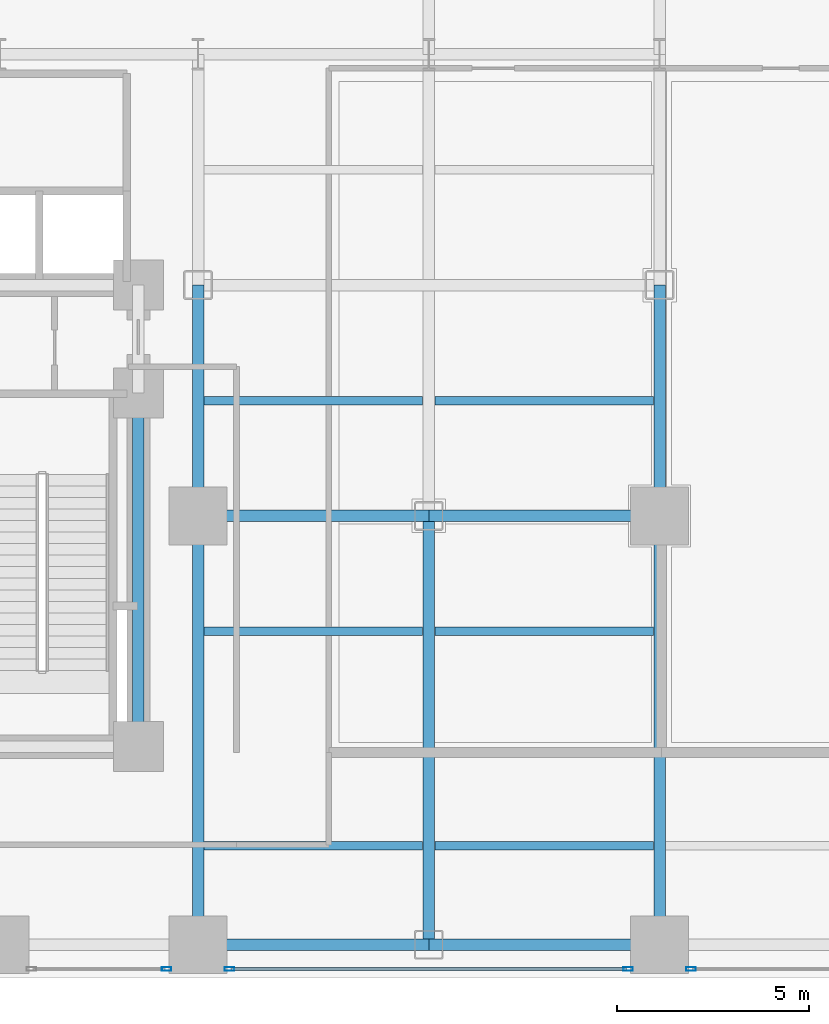
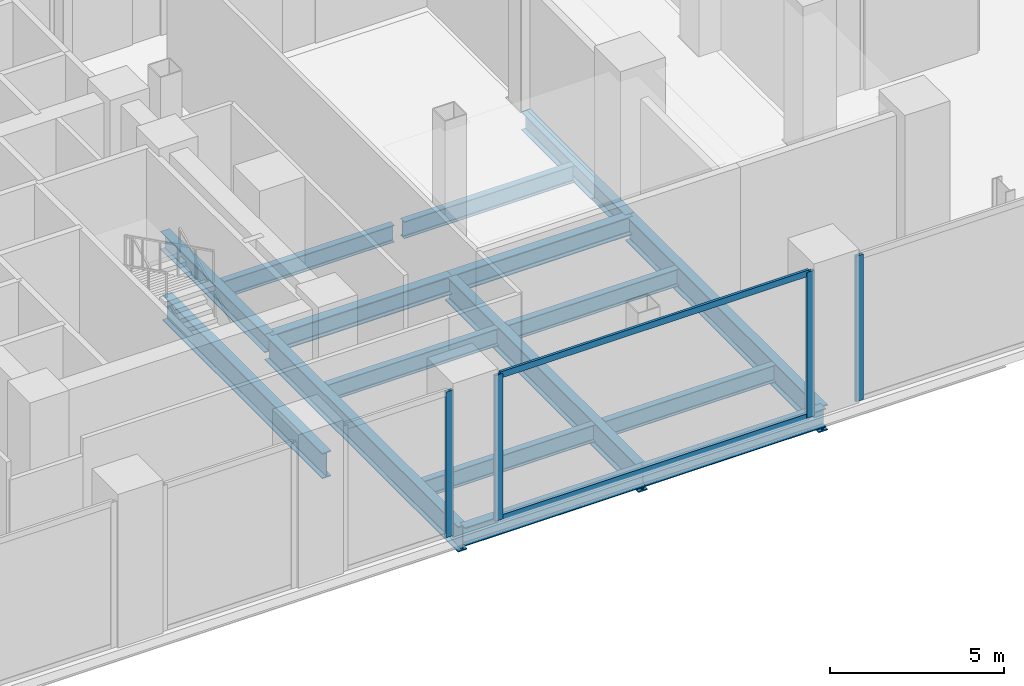
# One storey, part 9 of 27: 16 beams, 6 members, 3 elements without a shape of their own.
"""IFC4 building model written with IfcOpenShell, lengths in metres."""

from ifc_helpers import new_model, si_unit, direction, frame, origin, origin_2d, place, context, subcontext, project, spatial, hollow_rectangle, i_section, extrude, material, layer, layer_set, material_profile, profile_set, type_object, element, aggregate, save


model = new_model("IFC4")

# Units and contexts
model_context = context("Model", 3, precision=1e-05, world=origin(), true_north=direction((0.0, 1.0)))
body_context = subcontext(model_context, "Body", "Model", "MODEL_VIEW")
ifc_project = project(units=[si_unit("LENGTHUNIT", "METRE"), si_unit("AREAUNIT", "SQUARE_METRE"), si_unit("VOLUMEUNIT", "CUBIC_METRE"), si_unit("PLANEANGLEUNIT", "RADIAN"), si_unit("MASSUNIT", "GRAM", prefix="KILO"), si_unit("THERMODYNAMICTEMPERATUREUNIT", "KELVIN"), si_unit("POWERUNIT", "WATT")], contexts=[model_context])

# Site, building, storey
site_placement = place(None, origin())
site = spatial("IfcSite", under=ifc_project, at=site_placement, CompositionType="ELEMENT")
building_placement = place(site_placement, origin())
building = spatial("IfcBuilding", under=site, at=building_placement, Name="Svarakhadi Broadcast Tower", CompositionType="ELEMENT")
storey_placement = place(building_placement, frame((0.0, 0.0, 5.699951171875)))
storey = spatial("IfcBuildingStorey", under=building, at=storey_placement, Name="L01", CompositionType="ELEMENT", Elevation=5.699951171875)

# Beams
ifc_material_1 = material(Name="Steel S355J2 (IS 2062 E350C)", Category="steel")
ifc_material_profile_1 = material_profile(ifc_material_1, i_section(OverallWidth=0.219970703125, OverallDepth=0.60009765625, WebThickness=0.011962890625, FlangeThickness=0.01904296875, FilletRadius=0.02392578125, at=origin_2d()), Name="NPB 600x220x122")
ifc_profile_set_1 = profile_set([ifc_material_profile_1], Name="Steel S355J2 (IS 2062 E350C)")
beam_type_1 = type_object("IfcBeamType", Name="Beam_NPB600", PredefinedType="BEAM", material=ifc_profile_set_1)
for number, where, z_axis, x_axis, name in (
    (1, (35.31005859375, 3.425048828125, -0.599853515625), (1.0, 0.0, 0.0), (0.0, 1.0, 0.0), "L01 Secondary Composite Beam SB017"),
    (2, (35.31005859375, 9.0, -0.599853515625), (1.0, 0.0, 0.0), (0.0, 1.0, 0.0), "L01 Secondary Composite Beam SB018"),
    (3, (35.31005859375, 15.0, -0.599853515625), (1.0, 0.0, 0.0), (0.0, 1.0, 0.0), "L01 Secondary Composite Beam SB019"),
    (4, (41.31005859375, 3.425048828125, -0.599853515625), (1.0, 0.0, 0.0), (0.0, 1.0, 0.0), "L01 Secondary Composite Beam SB021"),
    (5, (41.31005859375, 9.0, -0.599853515625), (1.0, 0.0, 0.0), (0.0, 1.0, 0.0), "L01 Secondary Composite Beam SB022"),
    (6, (41.31005859375, 15.0, -0.599853515625), (1.0, 0.0, 0.0), (0.0, 1.0, 0.0), "L01 Secondary Composite Beam SB023"),
):
    element("IfcBeam", number, at=place(storey_placement, frame(where, z_axis=z_axis, x_axis=x_axis)), inside=storey, type_object=beam_type_1, Name=name, PredefinedType="BEAM", context=body_context, shape_type="SweptSolid", body=[
        extrude(i_section(OverallWidth=0.219970703125, OverallDepth=0.60009765625, WebThickness=0.011962890625, FlangeThickness=0.01904296875, FilletRadius=0.02392578125, at=origin_2d()), origin(), (0.0, 0.0, 1.0), 5.679931640625),
    ])

# Curtain wall, member
ifc_material_2 = material(Name="Anodised Bronze Aluminium AA 6063-T6", Category="aluminium")
ifc_layer = layer(ifc_material_2, 0.25)
ifc_layer_set = layer_set([ifc_layer], Name="Anodised Bronze Aluminium AA 6063-T6")
curtain_wall_type = type_object("IfcCurtainWallType", Name="CW_Sys_01", PredefinedType="NOTDEFINED", material=ifc_layer_set)
curtain_wall_1_placement = place(storey_placement, origin())
curtain_wall_1 = element("IfcCurtainWall", 7, at=curtain_wall_1_placement, inside=storey, type_object=curtain_wall_type, Name="L01 South Curtain Wall 11 Bay 1", PredefinedType="NOTDEFINED")
ifc_material_profile_2 = material_profile(ifc_material_2, hollow_rectangle(XDim=0.094970703125, YDim=0.25, WallThickness=0.006103515625, at=origin_2d()), Name="ALU MULLION 250x95x6")
ifc_profile_set_2 = profile_set([ifc_material_profile_2], Name="Anodised Bronze Aluminium AA 6063-T6")
member_type_1 = type_object("IfcMemberType", Name="CW_Sys_01_Mul", PredefinedType="MULLION", material=ifc_profile_set_2)
member_1_placement = place(storey_placement, frame((47.967529296875, 0.219970703125, 0.0), z_axis=(0.0, 0.0, 1.0), x_axis=(0.0, -1.0, 0.0)))
member_1 = element("IfcMember", 8, at=member_1_placement, type_object=member_type_1, Name="CW-01 mullion 3", PredefinedType="MULLION", context=body_context, shape_type="SweptSolid", body=[
    extrude(hollow_rectangle(XDim=0.094970703125, YDim=0.25, WallThickness=0.006103515625, at=origin_2d()), origin(), (0.0, 0.0, 1.0), 5.125),
])
aggregate(curtain_wall_1, [member_1])

# Curtain wall, members
curtain_wall_2_placement = place(storey_placement, origin())
curtain_wall_2 = element("IfcCurtainWall", 9, at=curtain_wall_2_placement, inside=storey, type_object=curtain_wall_type, Name="L01 South Curtain Wall 11 Bay 2", PredefinedType="NOTDEFINED")
member_2_placement = place(storey_placement, frame((46.33251953125, 0.219970703125, 0.0), z_axis=(0.0, 0.0, 1.0), x_axis=(0.0, -1.0, 0.0)))
member_2 = element("IfcMember", 10, at=member_2_placement, type_object=member_type_1, Name="CW-01 mullion 1", PredefinedType="MULLION", context=body_context, shape_type="SweptSolid", body=[
    extrude(hollow_rectangle(XDim=0.094970703125, YDim=0.25, WallThickness=0.006103515625, at=origin_2d()), origin(), (0.0, 0.0, 1.0), 5.125),
])
member_3_placement = place(storey_placement, frame((35.967529296875, 0.219970703125, 0.0), z_axis=(0.0, 0.0, 1.0), x_axis=(0.0, -1.0, 0.0)))
member_3 = element("IfcMember", 11, at=member_3_placement, type_object=member_type_1, Name="CW-01 mullion 2", PredefinedType="MULLION", context=body_context, shape_type="SweptSolid", body=[
    extrude(hollow_rectangle(XDim=0.094970703125, YDim=0.25, WallThickness=0.006103515625, at=origin_2d()), origin(), (0.0, 0.0, 1.0), 5.125),
])

# Curtain wall, member
curtain_wall_3_placement = place(storey_placement, origin())
curtain_wall_3 = element("IfcCurtainWall", 12, at=curtain_wall_3_placement, inside=storey, type_object=curtain_wall_type, Name="L01 South Curtain Wall 11 Bay 3", PredefinedType="NOTDEFINED")
member_4_placement = place(storey_placement, frame((34.33251953125, 0.219970703125, 0.0), z_axis=(0.0, 0.0, 1.0), x_axis=(0.0, -1.0, 0.0)))
member_4 = element("IfcMember", 13, at=member_4_placement, type_object=member_type_1, Name="CW-01 mullion 1", PredefinedType="MULLION", context=body_context, shape_type="SweptSolid", body=[
    extrude(hollow_rectangle(XDim=0.094970703125, YDim=0.25, WallThickness=0.006103515625, at=origin_2d()), origin(), (0.0, 0.0, 1.0), 5.125),
])
aggregate(curtain_wall_3, [member_4])

# Member
ifc_material_profile_3 = material_profile(ifc_material_2, hollow_rectangle(XDim=0.0849609375, YDim=0.219970703125, WallThickness=0.0048828125, at=origin_2d()), Name="ALU TRANSOM 220x85x5")
ifc_profile_set_3 = profile_set([ifc_material_profile_3], Name="Anodised Bronze Aluminium AA 6063-T6")
member_type_2 = type_object("IfcMemberType", Name="CW_Sys_01_Trn", PredefinedType="USERDEFINED", material=ifc_profile_set_3)
member_5_placement = place(storey_placement, frame((46.284912109375, 0.219970703125, 0.04248046875), z_axis=(-1.0, 0.0, 0.0), x_axis=(0.0, -1.0, 0.0)))
member_5 = element("IfcMember", 14, at=member_5_placement, type_object=member_type_2, Name="CW-01 transom 1.1", ObjectType="TRANSOM", PredefinedType="USERDEFINED", context=body_context, shape_type="SweptSolid", body=[
    extrude(hollow_rectangle(XDim=0.0849609375, YDim=0.219970703125, WallThickness=0.0048828125, at=origin_2d()), origin(), (0.0, 0.0, 1.0), 10.27001953125),
])

member_6_placement = place(storey_placement, frame((46.284912109375, 0.219970703125, 5.08251953125), z_axis=(-1.0, 0.0, 0.0), x_axis=(0.0, -1.0, 0.0)))
member_6 = element("IfcMember", 15, at=member_6_placement, type_object=member_type_2, Name="CW-01 transom 1.2", ObjectType="TRANSOM", PredefinedType="USERDEFINED", context=body_context, shape_type="SweptSolid", body=[
    extrude(hollow_rectangle(XDim=0.0849609375, YDim=0.219970703125, WallThickness=0.0048828125, at=origin_2d()), origin(), (0.0, 0.0, 1.0), 10.27001953125),
])

aggregate(curtain_wall_2, [member_2, member_3, member_5, member_6])

# Beams
ifc_material_profile_4 = material_profile(ifc_material_1, i_section(OverallWidth=0.300048828125, OverallDepth=0.64990234375, WebThickness=0.01611328125, FlangeThickness=0.031005859375, FilletRadius=0.027099609375, at=origin_2d()), Name="WPB 650x300x225")
ifc_profile_set_4 = profile_set([ifc_material_profile_4], Name="Steel S355J2 (IS 2062 E350C)")
beam_type_2 = type_object("IfcBeamType", Name="Girder_WPB650", PredefinedType="USERDEFINED", material=ifc_profile_set_4)
for number, where, z_axis, x_axis, name in (
    (16, (35.14990234375, 0.85009765625, -0.625), (1.0, 0.0, 0.0), (0.0, 1.0, 0.0), "L01 Primary E-W Girder G009"),
    (17, (41.14990234375, 0.85009765625, -0.625), (1.0, 0.0, 0.0), (0.0, 1.0, 0.0), "L01 Primary E-W Girder G010"),
    (18, (35.14990234375, 12.0, -0.625), (1.0, 0.0, 0.0), (0.0, 1.0, 0.0), "L01 Primary E-W Girder G018"),
    (19, (41.14990234375, 12.0, -0.625), (1.0, 0.0, 0.0), (0.0, 1.0, 0.0), "L01 Primary E-W Girder G019"),
    (20, (35.14990234375, 12.0, -0.625), (0.0, 1.0, 0.0), (-1.0, 0.0, 0.0), "L01 Primary N-S Girder G073"),
    (21, (47.14990234375, 12.0, -0.625), (0.0, 1.0, 0.0), (-1.0, 0.0, 0.0), "L01 Primary N-S Girder G080"),
):
    element("IfcBeam", number, at=place(storey_placement, frame(where, z_axis=z_axis, x_axis=x_axis)), inside=storey, type_object=beam_type_2, Name=name, ObjectType="GIRDER", PredefinedType="USERDEFINED", context=body_context, shape_type="SweptSolid", body=[
        extrude(i_section(OverallWidth=0.300048828125, OverallDepth=0.64990234375, WebThickness=0.01611328125, FlangeThickness=0.031005859375, FilletRadius=0.027099609375, at=origin_2d()), origin(), (0.0, 0.0, 1.0), 6.0),
    ])
ifc_material_3 = material(Name="Steel S460ML (IS 2062 E450BR)", Category="steel")
ifc_material_profile_5 = material_profile(ifc_material_3, i_section(OverallWidth=0.300048828125, OverallDepth=0.89990234375, WebThickness=0.0185546875, FlangeThickness=0.034912109375, FilletRadius=0.030029296875, at=origin_2d()), Name="WPB 900x300x291")
ifc_profile_set_5 = profile_set([ifc_material_profile_5], Name="Steel S460ML (IS 2062 E450BR)")
beam_type_3 = type_object("IfcBeamType", Name="Girder_WPB900", PredefinedType="USERDEFINED", material=ifc_profile_set_5)
beam_placement = place(storey_placement, frame((33.60009765625, 6.0, -0.75), z_axis=(0.0, 1.0, 0.0), x_axis=(-1.0, 0.0, 0.0)))
element("IfcBeam", 22, at=beam_placement, inside=storey, type_object=beam_type_3, Name="L01 Primary N-S Girder G070", ObjectType="GIRDER", PredefinedType="USERDEFINED", context=body_context, shape_type="SweptSolid", body=[
    extrude(i_section(OverallWidth=0.300048828125, OverallDepth=0.89990234375, WebThickness=0.0185546875, FlangeThickness=0.034912109375, FilletRadius=0.030029296875, at=origin_2d()), origin(), (0.0, 0.0, 1.0), 9.199951171875),
])
for number, where, z_axis, x_axis, name in (
    (23, (35.14990234375, 0.85009765625, -0.75), (0.0, 1.0, 0.0), (-1.0, 0.0, 0.0), "L01 Primary N-S Girder G072"),
    (24, (41.14990234375, 0.85009765625, -0.75), (0.0, 1.0, 0.0), (-1.0, 0.0, 0.0), "L01 Primary N-S Girder G075"),
    (25, (47.14990234375, 0.85009765625, -0.75), (0.0, 1.0, 0.0), (-1.0, 0.0, 0.0), "L01 Primary N-S Girder G079"),
):
    element("IfcBeam", number, at=place(storey_placement, frame(where, z_axis=z_axis, x_axis=x_axis)), inside=storey, type_object=beam_type_3, Name=name, ObjectType="GIRDER", PredefinedType="USERDEFINED", context=body_context, shape_type="SweptSolid", body=[
        extrude(i_section(OverallWidth=0.300048828125, OverallDepth=0.89990234375, WebThickness=0.0185546875, FlangeThickness=0.034912109375, FilletRadius=0.030029296875, at=origin_2d()), origin(), (0.0, 0.0, 1.0), 11.14990234375),
    ])

save(model, "model.ifc")
